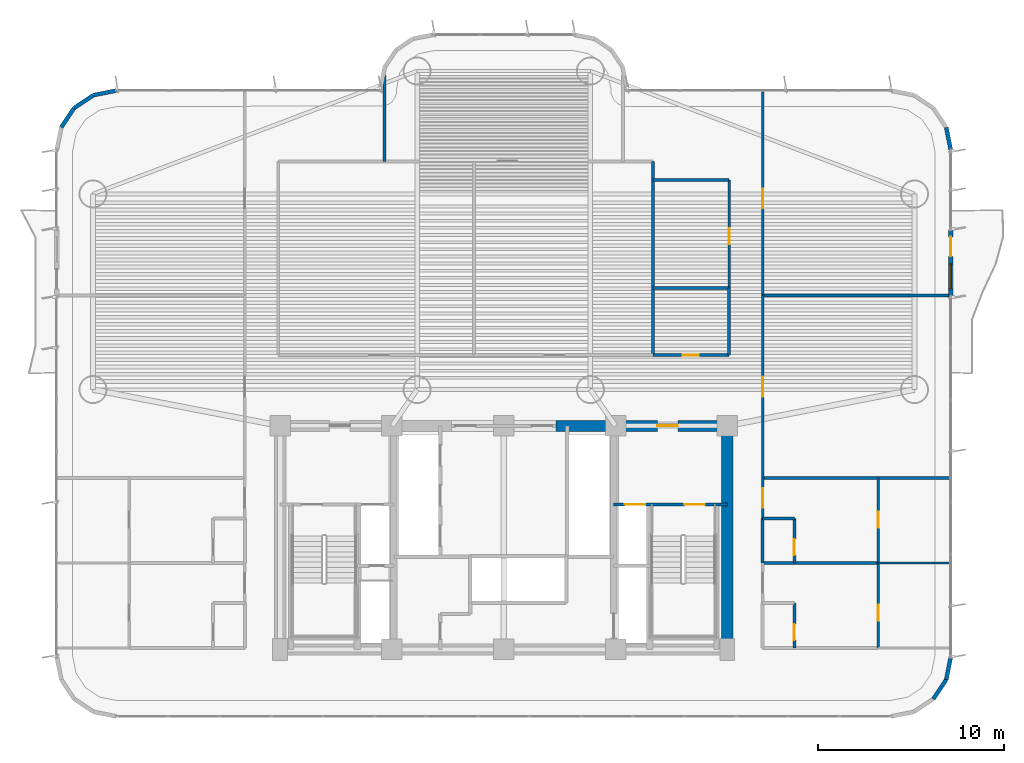
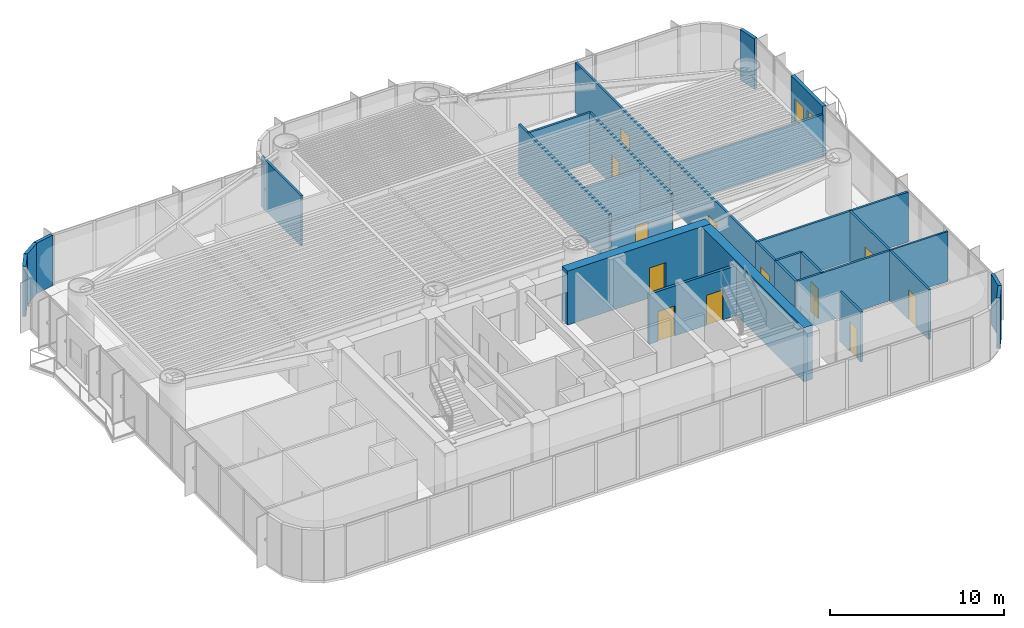
# One storey, part 12 of 17: 30 walls, 13 doors, 1 window, 14 openings.
"""IFC4 building model written with IfcOpenShell, lengths in metres."""

from ifc_helpers import new_model, si_unit, direction, frame, frame_2d, origin, origin_2d, place, context, subcontext, project, spatial, rectangle, extrude, source, transform, mapped, material, layer, layer_set, type_object, element, fill, save


model = new_model("IFC4")

# Units and contexts
model_context = context("Model", 3, precision=1e-05, world=origin(), true_north=direction((0.0, 1.0)))
body_context = subcontext(model_context, "Body", "Model", "MODEL_VIEW")
ifc_project = project(units=[si_unit("LENGTHUNIT", "METRE"), si_unit("AREAUNIT", "SQUARE_METRE"), si_unit("VOLUMEUNIT", "CUBIC_METRE"), si_unit("PLANEANGLEUNIT", "RADIAN"), si_unit("MASSUNIT", "GRAM", prefix="KILO")], contexts=[model_context])

# Site, building, storey
site_placement = place(None, origin())
site = spatial("IfcSite", under=ifc_project, at=site_placement, CompositionType="ELEMENT")
building_placement = place(site_placement, origin())
building = spatial("IfcBuilding", under=site, at=building_placement, Name="Brelvock Crest Care Tower", CompositionType="ELEMENT")
storey_placement = place(building_placement, frame((0.0, 0.0, 53.4599609375)))
storey = spatial("IfcBuildingStorey", under=building, at=storey_placement, Name="L13", CompositionType="ELEMENT", Elevation=53.4599609375)

# Wall
ifc_material_1 = material(Name="Concrete S80 (80 MPa)", Category="concrete")
ifc_layer_1 = layer(ifc_material_1, 0.60009765625, Name="WL-CS1")
ifc_layer_set_1 = layer_set([ifc_layer_1], Name="Concrete S80 (80 MPa)")
wall_type_1 = type_object("IfcWallType", Name="WL-CS1", PredefinedType="SHEAR", material=ifc_layer_set_1)
wall_1_placement = place(storey_placement, frame((48.0, 18.0, 0.0), z_axis=(0.0, 0.0, 1.0), x_axis=(0.0, -1.0, 0.0)))
element("IfcWall", 1, at=wall_1_placement, inside=storey, type_object=wall_type_1, Name="L13 Core East Shear Wall", PredefinedType="SHEAR", context=body_context, shape_type="SweptSolid", body=[
    extrude(rectangle(XDim=12.0, YDim=0.60009765625, at=frame_2d((6.0, 0.0))), origin(), (0.0, 0.0, 1.0), 3.780029296875),
])

# Wall, opening, door
wall_2_placement = place(storey_placement, frame((38.800048828125, 18.0, 0.0), z_axis=(0.0, 0.0, 1.0), x_axis=(1.0, 0.0, 0.0)))
wall_2 = element("IfcWall", 2, at=wall_2_placement, inside=storey, type_object=wall_type_1, Name="L13 Core North-East Shear Wall", PredefinedType="SHEAR", context=body_context, shape_type="SweptSolid", body=[
    extrude(rectangle(XDim=9.5, YDim=0.60009765625, at=frame_2d((4.75, 0.0))), origin(), (0.0, 0.0, 1.0), 3.780029296875),
])
opening_1_placement = place(wall_2_placement, frame((5.449951171875, 0.0, 0.0)))
opening_1 = element("IfcOpeningElement", 3, at=opening_1_placement, cuts=wall_2, Name="Opening FD-1", PredefinedType="OPENING", context=body_context, shape_type="SweptSolid", body=[
    extrude(rectangle(XDim=1.10009765625, YDim=2.10009765625, at=origin_2d()), frame((0.550048828125, 0.31005859375, 1.050048828125), z_axis=(0.0, -1.0, 0.0), x_axis=(1.0, 0.0, 0.0)), (0.0, 0.0, 1.0), 0.6201171875),
])
ifc_material_2 = material(Name="Steel Grade 350", Category="steel")
door_type_1 = type_object("IfcDoorType", Name="DR-FFL1", OperationType="NOTDEFINED", PredefinedType="DOOR", material=ifc_material_2)
shared_shape_1 = source(origin(), body_context, "Body", "SweptSolid", [
    extrude(rectangle(XDim=1.10009765625, YDim=2.10009765625, at=origin_2d()), frame((0.550048828125, 0.02490234375, 1.050048828125), z_axis=(0.0, -1.0, 0.0), x_axis=(1.0, 0.0, 0.0)), (0.0, 0.0, 1.0), 0.050048828125),
])
door_1_placement = place(opening_1_placement, origin())
door_1 = element("IfcDoor", 4, at=door_1_placement, inside=storey, type_object=door_type_1, Name="L13 Firefighting Lobby FFL-2 Exit Door", OperationType="SINGLE_SWING_RIGHT", OverallHeight=2.10009765625, OverallWidth=1.10009765625, PredefinedType="DOOR", context=body_context, shape_type="MappedRepresentation", body=[
    mapped(shared_shape_1, transform((0.0, 0.0, 0.0), x_axis=(1.0, 0.0, 0.0), y_axis=(0.0, 1.0, 0.0), z_axis=(0.0, 0.0, 1.0), scale=1.0)),
])
fill(opening_1, door_1)

# Wall, openings, door, window
ifc_material_3 = material(Name="Precast concrete N40 (40 MPa)", Category="concrete")
ifc_layer_2 = layer(ifc_material_3, 0.239990234375, Name="WL-EX1")
ifc_layer_set_2 = layer_set([ifc_layer_2], Name="Precast concrete N40 (40 MPa)")
wall_type_2 = type_object("IfcWallType", Name="WL-EX1", PredefinedType="SOLIDWALL", material=ifc_layer_set_2)
wall_3_placement = place(storey_placement, frame((60.0, 28.550048828125, 0.0), z_axis=(0.0, 0.0, 1.0), x_axis=(0.0, -1.0, 0.0)))
wall_3 = element("IfcWall", 5, at=wall_3_placement, inside=storey, type_object=wall_type_2, Name="L13 Exterior Spandrel Wall WL-BAL-L13-E", PredefinedType="SOLIDWALL", context=body_context, shape_type="SweptSolid", body=[
    extrude(rectangle(XDim=3.60009765625, YDim=0.239990234375, at=frame_2d((1.800048828125, 0.0))), origin(), (0.0, 0.0, 1.0), 3.530029296875),
])
opening_2_placement = place(wall_3_placement, frame((0.39990234375, 0.0, 0.0)))
opening_2 = element("IfcOpeningElement", 6, at=opening_2_placement, cuts=wall_3, Name="Opening BD-1", PredefinedType="OPENING", context=body_context, shape_type="SweptSolid", body=[
    extrude(rectangle(XDim=1.050048828125, YDim=2.14990234375, at=origin_2d()), frame((0.52490234375, 0.1298828125, 1.074951171875), z_axis=(0.0, -1.0, 0.0), x_axis=(1.0, 0.0, 0.0)), (0.0, 0.0, 1.0), 0.260009765625),
])
opening_3_placement = place(wall_3_placement, frame((1.85009765625, 0.0, 0.85009765625)))
opening_3 = element("IfcOpeningElement", 7, at=opening_3_placement, cuts=wall_3, Name="Opening W-01", PredefinedType="OPENING", context=body_context, shape_type="SweptSolid", body=[
    extrude(rectangle(XDim=1.35009765625, YDim=1.35009765625, at=origin_2d()), frame((0.675048828125, 0.1298828125, 0.675048828125), z_axis=(0.0, -1.0, 0.0), x_axis=(1.0, 0.0, 0.0)), (0.0, 0.0, 1.0), 0.260009765625),
])
ifc_material_4 = material(Name="Dark Glass Double Glazed Low-E", Category="glass")
door_type_2 = type_object("IfcDoorType", Name="DR-BAL1", OperationType="NOTDEFINED", PredefinedType="DOOR", material=ifc_material_4)
shared_shape_2 = source(origin(), body_context, "Body", "SweptSolid", [
    extrude(rectangle(XDim=1.050048828125, YDim=2.14990234375, at=origin_2d()), frame((0.52490234375, 0.02490234375, 1.074951171875), z_axis=(0.0, -1.0, 0.0), x_axis=(1.0, 0.0, 0.0)), (0.0, 0.0, 1.0), 0.050048828125),
])
door_2_placement = place(opening_2_placement, origin())
door_2 = element("IfcDoor", 8, at=door_2_placement, inside=storey, type_object=door_type_2, Name="L13 E Wave Balcony Glazed Door", OperationType="SINGLE_SWING_RIGHT", OverallHeight=2.14990234375, OverallWidth=1.050048828125, PredefinedType="DOOR", context=body_context, shape_type="MappedRepresentation", body=[
    mapped(shared_shape_2, transform((0.0, 0.0, 0.0), x_axis=(1.0, 0.0, 0.0), y_axis=(0.0, 1.0, 0.0), z_axis=(0.0, 0.0, 1.0), scale=1.0)),
])
fill(opening_2, door_2)
window_type = type_object("IfcWindowType", Name="WN-EX1", PartitioningType="SINGLE_PANEL", PredefinedType="WINDOW", material=ifc_material_4)
shared_shape_3 = source(origin(), body_context, "Body", "SweptSolid", [
    extrude(rectangle(XDim=1.35009765625, YDim=1.35009765625, at=origin_2d()), frame((0.675048828125, 0.030029296875, 0.675048828125), z_axis=(0.0, -1.0, 0.0), x_axis=(1.0, 0.0, 0.0)), (0.0, 0.0, 1.0), 0.06005859375),
])
window_placement = place(opening_3_placement, origin())
window = element("IfcWindow", 9, at=window_placement, inside=storey, type_object=window_type, Name="L13 E Suite Casement Window", OverallHeight=1.35009765625, OverallWidth=1.35009765625, PartitioningType="SINGLE_PANEL", PredefinedType="WINDOW", context=body_context, shape_type="MappedRepresentation", body=[
    mapped(shared_shape_3, transform((0.0, 0.0, 0.0), x_axis=(1.0, 0.0, 0.0), y_axis=(0.0, 1.0, 0.0), z_axis=(0.0, 0.0, 1.0), scale=1.0)),
])
fill(opening_3, window)

# Walls
ifc_layer_3 = layer(ifc_material_3, 0.215087890625, Name="WL-EX2")
ifc_layer_set_3 = layer_set([ifc_layer_3], Name="Precast concrete N40 (40 MPa)")
wall_type_3 = type_object("IfcWallType", Name="WL-EX2", PredefinedType="SOLIDWALL", material=ifc_layer_set_3)
for number, where, z_axis, x_axis, name in (
    (10, (59.75634765625, 34.024658203125, 0.0), (0.0, 0.0, 1.0), (0.195138390419, -0.980775717779, 0.0), "L13 Rounded Corner Wall 02"),
    (11, (60.0, 5.60009765625, 0.0), (0.0, 0.0, 1.0), (-0.195138390419, -0.980775717779, 0.0), "L13 Rounded Corner Wall 04"),
    (12, (59.75634765625, 4.37548828125, 0.0), (0.0, 0.0, 1.0), (-0.555557312883, -0.831478245117, 0.0), "L13 Rounded Corner Wall 05"),
    (13, (12.24365234375, 34.024658203125, 0.0), (0.0, 0.0, 1.0), (0.555557312883, 0.831478245117, 0.0), "L13 Rounded Corner Wall 15"),
    (14, (12.937255859375, 35.062744140625, 0.0), (0.0, 0.0, 1.0), (0.831478245117, 0.555557312883, 0.0), "L13 Rounded Corner Wall 16"),
    (15, (13.975341796875, 35.75634765625, 0.0), (0.0, 0.0, 1.0), (0.980775717779, 0.195138390419, 0.0), "L13 Rounded Corner Wall 17"),
):
    element("IfcWall", number, at=place(storey_placement, frame(where, z_axis=z_axis, x_axis=x_axis)), inside=storey, type_object=wall_type_3, Name=name, PredefinedType="SOLIDWALL", context=body_context, shape_type="SweptSolid", body=[
        extrude(rectangle(XDim=1.24853515625, YDim=0.215087890625, at=frame_2d((0.624267578125, 0.0))), origin(), (0.0, 0.0, 1.0), 3.530029296875),
    ])
ifc_material_5 = material(Name="Masonry Blockwork Acoustic Partition", Category="masonry")
ifc_layer_4 = layer(ifc_material_5, 0.14990234375, Name="WL-INT1")
ifc_layer_set_4 = layer_set([ifc_layer_4], Name="Masonry Blockwork Acoustic Partition")
wall_type_4 = type_object("IfcWallType", Name="WL-INT1", PredefinedType="PARTITIONING", material=ifc_layer_set_4)
wall_4_placement = place(storey_placement, frame((49.89990234375, 10.639892578125, 0.0), z_axis=(0.0, 0.0, 1.0), x_axis=(1.0, 0.0, 0.0)))
element("IfcWall", 16, at=wall_4_placement, inside=storey, type_object=wall_type_4, Name="L13 Interior Wall WL-BX-L13-CS-ER1A-N", PredefinedType="PARTITIONING", context=body_context, shape_type="SweptSolid", body=[
    extrude(rectangle(XDim=6.2001953125, YDim=0.14990234375, at=frame_2d((3.10009765625, 0.0))), origin(), (0.0, 0.0, 1.0), 3.5),
])
wall_5_placement = place(storey_placement, frame((49.89990234375, 15.199951171875, 0.0), z_axis=(0.0, 0.0, 1.0), x_axis=(1.0, 0.0, 0.0)))
element("IfcWall", 17, at=wall_5_placement, inside=storey, type_object=wall_type_4, Name="L13 Interior Wall WL-BX-L13-ECL2-S", PredefinedType="PARTITIONING", context=body_context, shape_type="SweptSolid", body=[
    extrude(rectangle(XDim=10.02001953125, YDim=0.14990234375, at=frame_2d((5.010009765625, 0.0))), origin(), (0.0, 0.0, 1.0), 3.5),
])
wall_6_placement = place(storey_placement, frame((49.89990234375, 25.0, 0.0), z_axis=(0.0, 0.0, 1.0), x_axis=(1.0, 0.0, 0.0)))
element("IfcWall", 18, at=wall_6_placement, inside=storey, type_object=wall_type_4, Name="L13 Interior Wall WL-BX-L13-ECL2-N", PredefinedType="PARTITIONING", context=body_context, shape_type="SweptSolid", body=[
    extrude(rectangle(XDim=10.02001953125, YDim=0.14990234375, at=frame_2d((5.010009765625, 0.0))), origin(), (0.0, 0.0, 1.0), 2.98193359375),
])
wall_7_placement = place(storey_placement, frame((44.0, 31.199951171875, 0.0), z_axis=(0.0, 0.0, 1.0), x_axis=(1.0, 0.0, 0.0)))
element("IfcWall", 19, at=wall_7_placement, inside=storey, type_object=wall_type_4, Name="L13 Interior Wall WL-BX-L13-CKIT-N", PredefinedType="PARTITIONING", context=body_context, shape_type="SweptSolid", body=[
    extrude(rectangle(XDim=4.10009765625, YDim=0.14990234375, at=frame_2d((2.050048828125, 0.0))), origin(), (0.0, 0.0, 1.0), 3.5),
])
wall_8_placement = place(storey_placement, frame((29.60009765625, 32.199951171875, 0.0), z_axis=(0.0, 0.0, 1.0), x_axis=(0.0, 1.0, 0.0)))
element("IfcWall", 20, at=wall_8_placement, inside=storey, type_object=wall_type_4, Name="L13 Interior Wall WL-BX-L13-NHUB-W", PredefinedType="PARTITIONING", context=body_context, shape_type="SweptSolid", body=[
    extrude(rectangle(XDim=4.595458984375, YDim=0.14990234375, at=frame_2d((2.2978515625, 0.0))), origin(), (0.0, 0.0, 1.0), 3.5),
])

# Wall, opening, door
wall_9_placement = place(storey_placement, frame((48.10009765625, 25.39990234375, 0.0), z_axis=(0.0, 0.0, 1.0), x_axis=(0.0, 1.0, 0.0)))
wall_9 = element("IfcWall", 21, at=wall_9_placement, inside=storey, type_object=wall_type_4, Name="L13 Interior Wall WL-RM-L13-CKIT", PredefinedType="PARTITIONING", context=body_context, shape_type="SweptSolid", body=[
    extrude(rectangle(XDim=5.800048828125, YDim=0.14990234375, at=frame_2d((2.89990234375, 0.0))), origin(), (0.0, 0.0, 1.0), 3.5),
])
opening_4_placement = place(wall_9_placement, frame((2.340087890625, 0.0, 0.0)))
opening_4 = element("IfcOpeningElement", 22, at=opening_4_placement, cuts=wall_9, Name="Opening ID-1", PredefinedType="OPENING", context=body_context, shape_type="SweptSolid", body=[
    extrude(rectangle(XDim=0.860107421875, YDim=2.10009765625, at=origin_2d()), frame((0.43017578125, 0.0849609375, 1.050048828125), z_axis=(0.0, -1.0, 0.0), x_axis=(1.0, 0.0, 0.0)), (0.0, 0.0, 1.0), 0.169921875),
])
ifc_material_6 = material(Name="Engineered Hardwood Timber", Category="wood")
door_type_3 = type_object("IfcDoorType", Name="DR-INT1", OperationType="NOTDEFINED", PredefinedType="DOOR", material=ifc_material_6)
shared_shape_4 = source(origin(), body_context, "Body", "SweptSolid", [
    extrude(rectangle(XDim=0.860107421875, YDim=2.10009765625, at=origin_2d()), frame((0.43017578125, 0.02490234375, 1.050048828125), z_axis=(0.0, -1.0, 0.0), x_axis=(1.0, 0.0, 0.0)), (0.0, 0.0, 1.0), 0.050048828125),
])
door_3_placement = place(opening_4_placement, origin())
door_3 = element("IfcDoor", 23, at=door_3_placement, inside=storey, type_object=door_type_3, Name="L13 Neighbourhood Pantry Kitchen Door CKIT", OperationType="SINGLE_SWING_LEFT", OverallHeight=2.10009765625, OverallWidth=0.860107421875, PredefinedType="DOOR", context=body_context, shape_type="MappedRepresentation", body=[
    mapped(shared_shape_4, transform((0.0, 0.0, 0.0), x_axis=(1.0, 0.0, 0.0), y_axis=(0.0, 1.0, 0.0), z_axis=(0.0, 0.0, 1.0), scale=1.0)),
])
fill(opening_4, door_3)

wall_10_placement = place(storey_placement, frame((49.89990234375, 13.0400390625, 0.0), z_axis=(0.0, 0.0, 1.0), x_axis=(0.0, 1.0, 0.0)))
wall_10 = element("IfcWall", 24, at=wall_10_placement, inside=storey, type_object=wall_type_4, Name="L13 Interior Wall WL-CENT-L13-ER1B", PredefinedType="PARTITIONING", context=body_context, shape_type="SweptSolid", body=[
    extrude(rectangle(XDim=2.159912109375, YDim=0.14990234375, at=frame_2d((1.080078125, 0.0))), origin(), (0.0, 0.0, 1.0), 3.5),
])
opening_5_placement = place(wall_10_placement, frame((0.56005859375, 0.0, 0.0)))
opening_5 = element("IfcOpeningElement", 25, at=opening_5_placement, cuts=wall_10, Name="Opening CD-1", PredefinedType="OPENING", context=body_context, shape_type="SweptSolid", body=[
    extrude(rectangle(XDim=1.050048828125, YDim=2.10009765625, at=origin_2d()), frame((0.52490234375, 0.0849609375, 1.050048828125), z_axis=(0.0, -1.0, 0.0), x_axis=(1.0, 0.0, 0.0)), (0.0, 0.0, 1.0), 0.169921875),
])
door_type_4 = type_object("IfcDoorType", Name="DR-CARE1", OperationType="NOTDEFINED", PredefinedType="DOOR", material=ifc_material_6)
shared_shape_5 = source(origin(), body_context, "Body", "SweptSolid", [
    extrude(rectangle(XDim=1.050048828125, YDim=2.10009765625, at=origin_2d()), frame((0.52490234375, 0.02490234375, 1.050048828125), z_axis=(0.0, -1.0, 0.0), x_axis=(1.0, 0.0, 0.0)), (0.0, 0.0, 1.0), 0.050048828125),
])
door_4_placement = place(opening_5_placement, origin())
door_4 = element("IfcDoor", 26, at=door_4_placement, inside=storey, type_object=door_type_4, Name="L13 Care Suite Door ER1B", OperationType="SINGLE_SWING_LEFT", OverallHeight=2.10009765625, OverallWidth=1.050048828125, PredefinedType="DOOR", context=body_context, shape_type="MappedRepresentation", body=[
    mapped(shared_shape_5, transform((0.0, 0.0, 0.0), x_axis=(1.0, 0.0, 0.0), y_axis=(0.0, 1.0, 0.0), z_axis=(0.0, 0.0, 1.0), scale=1.0)),
])
fill(opening_5, door_4)

wall_11_placement = place(storey_placement, frame((49.89990234375, 15.199951171875, 0.0), z_axis=(0.0, 0.0, 1.0), x_axis=(0.0, 1.0, 0.0)))
wall_11 = element("IfcWall", 27, at=wall_11_placement, inside=storey, type_object=wall_type_4, Name="L13 Interior Wall WL-RM-L13-ECL2", PredefinedType="PARTITIONING", context=body_context, shape_type="SweptSolid", body=[
    extrude(rectangle(XDim=9.800048828125, YDim=0.14990234375, at=frame_2d((4.89990234375, 0.0))), origin(), (0.0, 0.0, 1.0), 3.5),
])
opening_6_placement = place(wall_11_placement, frame((4.375, 0.0, 0.0)))
opening_6 = element("IfcOpeningElement", 28, at=opening_6_placement, cuts=wall_11, Name="Opening CLD-1", PredefinedType="OPENING", context=body_context, shape_type="SweptSolid", body=[
    extrude(rectangle(XDim=1.050048828125, YDim=2.10009765625, at=origin_2d()), frame((0.52490234375, 0.0849609375, 1.050048828125), z_axis=(0.0, -1.0, 0.0), x_axis=(1.0, 0.0, 0.0)), (0.0, 0.0, 1.0), 0.169921875),
])
door_type_5 = type_object("IfcDoorType", Name="DR-CLN1", OperationType="NOTDEFINED", PredefinedType="DOOR", material=ifc_material_6)
shared_shape_6 = source(origin(), body_context, "Body", "SweptSolid", [
    extrude(rectangle(XDim=1.050048828125, YDim=2.10009765625, at=origin_2d()), frame((0.52490234375, 0.02490234375, 1.050048828125), z_axis=(0.0, -1.0, 0.0), x_axis=(1.0, 0.0, 0.0)), (0.0, 0.0, 1.0), 0.050048828125),
])
door_5_placement = place(opening_6_placement, origin())
door_5 = element("IfcDoor", 29, at=door_5_placement, inside=storey, type_object=door_type_5, Name="L13 Occupational Therapy Clinic Door ECL2", OperationType="SINGLE_SWING_LEFT", OverallHeight=2.10009765625, OverallWidth=1.050048828125, PredefinedType="DOOR", context=body_context, shape_type="MappedRepresentation", body=[
    mapped(shared_shape_6, transform((0.0, 0.0, 0.0), x_axis=(1.0, 0.0, 0.0), y_axis=(0.0, 1.0, 0.0), z_axis=(0.0, 0.0, 1.0), scale=1.0)),
])
fill(opening_6, door_5)

wall_12_placement = place(storey_placement, frame((49.89990234375, 25.0, 0.0), z_axis=(0.0, 0.0, 1.0), x_axis=(0.0, 1.0, 0.0)))
wall_12 = element("IfcWall", 30, at=wall_12_placement, inside=storey, type_object=wall_type_4, Name="L13 Interior Wall WL-RM-L13-ECL3", PredefinedType="PARTITIONING", context=body_context, shape_type="SweptSolid", body=[
    extrude(rectangle(XDim=10.920166015625, YDim=0.14990234375, at=frame_2d((5.4599609375, 0.0))), origin(), (0.0, 0.0, 1.0), 3.5),
])
opening_7_placement = place(wall_12_placement, frame((4.675048828125, 0.0, 0.0)))
opening_7 = element("IfcOpeningElement", 31, at=opening_7_placement, cuts=wall_12, Name="Opening CLD-1", PredefinedType="OPENING", context=body_context, shape_type="SweptSolid", body=[
    extrude(rectangle(XDim=1.050048828125, YDim=2.10009765625, at=origin_2d()), frame((0.52490234375, 0.0849609375, 1.050048828125), z_axis=(0.0, -1.0, 0.0), x_axis=(1.0, 0.0, 0.0)), (0.0, 0.0, 1.0), 0.169921875),
])
door_6_placement = place(opening_7_placement, origin())
door_6 = element("IfcDoor", 32, at=door_6_placement, inside=storey, type_object=door_type_5, Name="L13 Occupational Therapy Clinic Door ECL3", OperationType="SINGLE_SWING_LEFT", OverallHeight=2.10009765625, OverallWidth=1.050048828125, PredefinedType="DOOR", context=body_context, shape_type="MappedRepresentation", body=[
    mapped(shared_shape_6, transform((0.0, 0.0, 0.0), x_axis=(1.0, 0.0, 0.0), y_axis=(0.0, 1.0, 0.0), z_axis=(0.0, 0.0, 1.0), scale=1.0)),
])
fill(opening_7, door_6)

wall_13_placement = place(storey_placement, frame((56.10009765625, 6.080078125, 0.0), z_axis=(0.0, 0.0, 1.0), x_axis=(0.0, 1.0, 0.0)))
wall_13 = element("IfcWall", 33, at=wall_13_placement, inside=storey, type_object=wall_type_4, Name="L13 Interior Wall WL-RM-L13-ER1AS", PredefinedType="PARTITIONING", context=body_context, shape_type="SweptSolid", body=[
    extrude(rectangle(XDim=4.559814453125, YDim=0.14990234375, at=frame_2d((2.27978515625, 0.0))), origin(), (0.0, 0.0, 1.0), 3.5),
])
opening_8_placement = place(wall_13_placement, frame((1.4599609375, 0.0, 0.0)))
opening_8 = element("IfcOpeningElement", 34, at=opening_8_placement, cuts=wall_13, Name="Opening ID-1", PredefinedType="OPENING", context=body_context, shape_type="SweptSolid", body=[
    extrude(rectangle(XDim=0.860107421875, YDim=2.10009765625, at=origin_2d()), frame((0.43017578125, 0.0849609375, 1.050048828125), z_axis=(0.0, -1.0, 0.0), x_axis=(1.0, 0.0, 0.0)), (0.0, 0.0, 1.0), 0.169921875),
])
door_7_placement = place(opening_8_placement, origin())
door_7 = element("IfcDoor", 35, at=door_7_placement, inside=storey, type_object=door_type_3, Name="L13 Rehab Recovery Mobility Store Door ER1AS", OperationType="SINGLE_SWING_LEFT", OverallHeight=2.10009765625, OverallWidth=0.860107421875, PredefinedType="DOOR", context=body_context, shape_type="MappedRepresentation", body=[
    mapped(shared_shape_4, transform((0.0, 0.0, 0.0), x_axis=(1.0, 0.0, 0.0), y_axis=(0.0, 1.0, 0.0), z_axis=(0.0, 0.0, 1.0), scale=1.0)),
])
fill(opening_8, door_7)

wall_14_placement = place(storey_placement, frame((56.10009765625, 10.639892578125, 0.0), z_axis=(0.0, 0.0, 1.0), x_axis=(0.0, 1.0, 0.0)))
wall_14 = element("IfcWall", 36, at=wall_14_placement, inside=storey, type_object=wall_type_4, Name="L13 Interior Wall WL-RM-L13-ER1BS", PredefinedType="PARTITIONING", context=body_context, shape_type="SweptSolid", body=[
    extrude(rectangle(XDim=4.56005859375, YDim=0.14990234375, at=frame_2d((2.280029296875, 0.0))), origin(), (0.0, 0.0, 1.0), 3.5),
])
opening_9_placement = place(wall_14_placement, frame((1.89990234375, 0.0, 0.0)))
opening_9 = element("IfcOpeningElement", 37, at=opening_9_placement, cuts=wall_14, Name="Opening ID-1", PredefinedType="OPENING", context=body_context, shape_type="SweptSolid", body=[
    extrude(rectangle(XDim=0.860107421875, YDim=2.10009765625, at=origin_2d()), frame((0.43017578125, 0.0849609375, 1.050048828125), z_axis=(0.0, -1.0, 0.0), x_axis=(1.0, 0.0, 0.0)), (0.0, 0.0, 1.0), 0.169921875),
])
door_8_placement = place(opening_9_placement, origin())
door_8 = element("IfcDoor", 38, at=door_8_placement, inside=storey, type_object=door_type_3, Name="L13 Rehab Recovery Mobility Store Door ER1BS", OperationType="SINGLE_SWING_LEFT", OverallHeight=2.10009765625, OverallWidth=0.860107421875, PredefinedType="DOOR", context=body_context, shape_type="MappedRepresentation", body=[
    mapped(shared_shape_4, transform((0.0, 0.0, 0.0), x_axis=(1.0, 0.0, 0.0), y_axis=(0.0, 1.0, 0.0), z_axis=(0.0, 0.0, 1.0), scale=1.0)),
])
fill(opening_9, door_8)

# Walls
ifc_material_7 = material(Name="Gypsum Plasterboard Partition", Category="gypsum")
ifc_layer_5 = layer(ifc_material_7, 0.1201171875, Name="WL-INT2")
ifc_layer_set_5 = layer_set([ifc_layer_5], Name="Gypsum Plasterboard Partition")
wall_type_5 = type_object("IfcWallType", Name="WL-INT2", PredefinedType="PARTITIONING", material=ifc_layer_set_5)
wall_15_placement = place(storey_placement, frame((56.10009765625, 10.639892578125, 0.0), z_axis=(0.0, 0.0, 1.0), x_axis=(1.0, 0.0, 0.0)))
element("IfcWall", 39, at=wall_15_placement, inside=storey, type_object=wall_type_5, Name="L13 Interior Wall WL-BX-L13-ER1AS-N", PredefinedType="PARTITIONING", context=body_context, shape_type="SweptSolid", body=[
    extrude(rectangle(XDim=3.81982421875, YDim=0.1201171875, at=frame_2d((1.909912109375, 0.0))), origin(), (0.0, 0.0, 1.0), 3.5),
])
ifc_layer_6 = layer(ifc_material_7, 0.159912109375, Name="WL-PLM1")
ifc_layer_set_6 = layer_set([ifc_layer_6], Name="Gypsum Plasterboard Partition")
wall_type_6 = type_object("IfcWallType", Name="WL-PLM1", PredefinedType="PLUMBINGWALL", material=ifc_layer_set_6)
wall_16_placement = place(storey_placement, frame((49.89990234375, 13.0400390625, 0.0), z_axis=(0.0, 0.0, 1.0), x_axis=(1.0, 0.0, 0.0)))
element("IfcWall", 40, at=wall_16_placement, inside=storey, type_object=wall_type_6, Name="L13 Interior Wall WL-CENS2-L13-ER1B", PredefinedType="PLUMBINGWALL", context=body_context, shape_type="SweptSolid", body=[
    extrude(rectangle(XDim=1.7001953125, YDim=0.159912109375, at=frame_2d((0.85009765625, 0.0))), origin(), (0.0, 0.0, 1.0), 3.5),
])

# Wall, opening, door
wall_17_placement = place(storey_placement, frame((44.0, 21.800048828125, 0.0), z_axis=(0.0, 0.0, 1.0), x_axis=(1.0, 0.0, 0.0)))
wall_17 = element("IfcWall", 41, at=wall_17_placement, inside=storey, type_object=wall_type_6, Name="L13 Interior Wall WL-RM-L13-CAWC", PredefinedType="PLUMBINGWALL", context=body_context, shape_type="SweptSolid", body=[
    extrude(rectangle(XDim=4.10009765625, YDim=0.159912109375, at=frame_2d((2.050048828125, 0.0))), origin(), (0.0, 0.0, 1.0), 2.98193359375),
])
opening_10_placement = place(wall_17_placement, frame((1.6201171875, 0.0, 0.0)))
opening_10 = element("IfcOpeningElement", 42, at=opening_10_placement, cuts=wall_17, Name="Opening WD-1", PredefinedType="OPENING", context=body_context, shape_type="SweptSolid", body=[
    extrude(rectangle(XDim=0.860107421875, YDim=2.10009765625, at=origin_2d()), frame((0.43017578125, 0.08984375, 1.050048828125), z_axis=(0.0, -1.0, 0.0), x_axis=(1.0, 0.0, 0.0)), (0.0, 0.0, 1.0), 0.179931640625),
])
door_type_6 = type_object("IfcDoorType", Name="DR-WC1", OperationType="NOTDEFINED", PredefinedType="DOOR", material=ifc_material_6)
shared_shape_7 = source(origin(), body_context, "Body", "SweptSolid", [
    extrude(rectangle(XDim=0.860107421875, YDim=2.10009765625, at=origin_2d()), frame((0.43017578125, 0.02490234375, 1.050048828125), z_axis=(0.0, -1.0, 0.0), x_axis=(1.0, 0.0, 0.0)), (0.0, 0.0, 1.0), 0.050048828125),
])
door_9_placement = place(opening_10_placement, origin())
door_9 = element("IfcDoor", 43, at=door_9_placement, inside=storey, type_object=door_type_6, Name="L13 Floor Accessible WC Door CAWC", OperationType="SINGLE_SWING_LEFT", OverallHeight=2.10009765625, OverallWidth=0.860107421875, PredefinedType="DOOR", context=body_context, shape_type="MappedRepresentation", body=[
    mapped(shared_shape_7, transform((0.0, 0.0, 0.0), x_axis=(1.0, 0.0, 0.0), y_axis=(0.0, 1.0, 0.0), z_axis=(0.0, 0.0, 1.0), scale=1.0)),
])
fill(opening_10, door_9)

# Walls
wall_18_placement = place(storey_placement, frame((44.0, 25.39990234375, 0.0), z_axis=(0.0, 0.0, 1.0), x_axis=(1.0, 0.0, 0.0)))
element("IfcWall", 44, at=wall_18_placement, inside=storey, type_object=wall_type_6, Name="L13 Interior Wall WL-BX-L13-CAWC-N", PredefinedType="PLUMBINGWALL", context=body_context, shape_type="SweptSolid", body=[
    extrude(rectangle(XDim=4.10009765625, YDim=0.159912109375, at=frame_2d((2.050048828125, 0.0))), origin(), (0.0, 0.0, 1.0), 3.054931640625),
])
wall_19_placement = place(storey_placement, frame((44.0, 21.800048828125, 0.0), z_axis=(0.0, 0.0, 1.0), x_axis=(0.0, 1.0, 0.0)))
element("IfcWall", 45, at=wall_19_placement, inside=storey, type_object=wall_type_6, Name="L13 Interior Wall WL-BX-L13-CNE-E", PredefinedType="PLUMBINGWALL", context=body_context, shape_type="SweptSolid", body=[
    extrude(rectangle(XDim=10.39990234375, YDim=0.159912109375, at=frame_2d((5.199951171875, 0.0))), origin(), (0.0, 0.0, 1.0), 3.5),
])
wall_20_placement = place(storey_placement, frame((48.10009765625, 21.800048828125, 0.0), z_axis=(0.0, 0.0, 1.0), x_axis=(0.0, 1.0, 0.0)))
element("IfcWall", 46, at=wall_20_placement, inside=storey, type_object=wall_type_6, Name="L13 Interior Wall WL-BX-L13-CAWC-E", PredefinedType="PLUMBINGWALL", context=body_context, shape_type="SweptSolid", body=[
    extrude(rectangle(XDim=3.599853515625, YDim=0.159912109375, at=frame_2d((1.7998046875, 0.0))), origin(), (0.0, 0.0, 1.0), 3.5),
])
wall_21_placement = place(storey_placement, frame((49.89990234375, 10.639892578125, 0.0), z_axis=(0.0, 0.0, 1.0), x_axis=(0.0, 1.0, 0.0)))
element("IfcWall", 47, at=wall_21_placement, inside=storey, type_object=wall_type_6, Name="L13 Interior Wall WL-CENS0-L13-ER1B", PredefinedType="PLUMBINGWALL", context=body_context, shape_type="SweptSolid", body=[
    extrude(rectangle(XDim=2.400146484375, YDim=0.159912109375, at=frame_2d((1.2001953125, 0.0))), origin(), (0.0, 0.0, 1.0), 3.5),
])

# Wall, opening, door
wall_22_placement = place(storey_placement, frame((51.60009765625, 6.080078125, 0.0), z_axis=(0.0, 0.0, 1.0), x_axis=(0.0, 1.0, 0.0)))
wall_22 = element("IfcWall", 48, at=wall_22_placement, inside=storey, type_object=wall_type_6, Name="L13 Interior Wall WL-CENS1-L13-ER1A", PredefinedType="PLUMBINGWALL", context=body_context, shape_type="SweptSolid", body=[
    extrude(rectangle(XDim=2.39990234375, YDim=0.159912109375, at=frame_2d((1.199951171875, 0.0))), origin(), (0.0, 0.0, 1.0), 3.5),
])
opening_11_placement = place(wall_22_placement, frame((0.419921875, 0.0, 0.0)))
opening_11 = element("IfcOpeningElement", 49, at=opening_11_placement, cuts=wall_22, Name="Opening WD-1", PredefinedType="OPENING", context=body_context, shape_type="SweptSolid", body=[
    extrude(rectangle(XDim=0.860107421875, YDim=2.10009765625, at=origin_2d()), frame((0.43017578125, 0.08984375, 1.050048828125), z_axis=(0.0, -1.0, 0.0), x_axis=(1.0, 0.0, 0.0)), (0.0, 0.0, 1.0), 0.179931640625),
])
door_10_placement = place(opening_11_placement, origin())
door_10 = element("IfcDoor", 50, at=door_10_placement, inside=storey, type_object=door_type_6, Name="L13 Care En-Suite Door ER1A", OperationType="SINGLE_SWING_RIGHT", OverallHeight=2.10009765625, OverallWidth=0.860107421875, PredefinedType="DOOR", context=body_context, shape_type="MappedRepresentation", body=[
    mapped(shared_shape_7, transform((0.0, 0.0, 0.0), x_axis=(1.0, 0.0, 0.0), y_axis=(0.0, 1.0, 0.0), z_axis=(0.0, 0.0, 1.0), scale=1.0)),
])
fill(opening_11, door_10)

wall_23_placement = place(storey_placement, frame((51.60009765625, 10.639892578125, 0.0), z_axis=(0.0, 0.0, 1.0), x_axis=(0.0, 1.0, 0.0)))
wall_23 = element("IfcWall", 51, at=wall_23_placement, inside=storey, type_object=wall_type_6, Name="L13 Interior Wall WL-CENS1-L13-ER1B", PredefinedType="PLUMBINGWALL", context=body_context, shape_type="SweptSolid", body=[
    extrude(rectangle(XDim=2.400146484375, YDim=0.159912109375, at=frame_2d((1.2001953125, 0.0))), origin(), (0.0, 0.0, 1.0), 3.5),
])
opening_12_placement = place(wall_23_placement, frame((0.419921875, 0.0, 0.0)))
opening_12 = element("IfcOpeningElement", 52, at=opening_12_placement, cuts=wall_23, Name="Opening WD-1", PredefinedType="OPENING", context=body_context, shape_type="SweptSolid", body=[
    extrude(rectangle(XDim=0.860107421875, YDim=2.10009765625, at=origin_2d()), frame((0.43017578125, 0.08984375, 1.050048828125), z_axis=(0.0, -1.0, 0.0), x_axis=(1.0, 0.0, 0.0)), (0.0, 0.0, 1.0), 0.179931640625),
])
door_11_placement = place(opening_12_placement, origin())
door_11 = element("IfcDoor", 53, at=door_11_placement, inside=storey, type_object=door_type_6, Name="L13 Care En-Suite Door ER1B", OperationType="SINGLE_SWING_RIGHT", OverallHeight=2.10009765625, OverallWidth=0.860107421875, PredefinedType="DOOR", context=body_context, shape_type="MappedRepresentation", body=[
    mapped(shared_shape_7, transform((0.0, 0.0, 0.0), x_axis=(1.0, 0.0, 0.0), y_axis=(0.0, 1.0, 0.0), z_axis=(0.0, 0.0, 1.0), scale=1.0)),
])
fill(opening_12, door_11)

# Wall, openings, doors
ifc_layer_7 = layer(ifc_material_5, 0.179931640625, Name="WL-SHF1")
ifc_layer_set_7 = layer_set([ifc_layer_7], Name="Masonry Blockwork Acoustic Partition")
wall_type_7 = type_object("IfcWallType", Name="WL-SHF1", PredefinedType="PARTITIONING", material=ifc_layer_set_7)
wall_24_placement = place(storey_placement, frame((41.89990234375, 13.780029296875, 0.0), z_axis=(0.0, 0.0, 1.0), x_axis=(1.0, 0.0, 0.0)))
wall_24 = element("IfcWall", 54, at=wall_24_placement, inside=storey, type_object=wall_type_7, Name="L13 Interior Wall WL-ST2-N-L13", PredefinedType="PARTITIONING", context=body_context, shape_type="SweptSolid", body=[
    extrude(rectangle(XDim=6.10009765625, YDim=0.179931640625, at=frame_2d((3.050048828125, 0.0))), origin(), (0.0, 0.0, 1.0), 3.5),
])
opening_13_placement = place(wall_24_placement, frame((0.60009765625, 0.0, 0.0)))
opening_13 = element("IfcOpeningElement", 55, at=opening_13_placement, cuts=wall_24, Name="Opening LD", PredefinedType="OPENING", context=body_context, shape_type="SweptSolid", body=[
    extrude(rectangle(XDim=1.10009765625, YDim=2.10009765625, at=origin_2d()), frame((0.550048828125, 0.10009765625, 1.050048828125), z_axis=(0.0, -1.0, 0.0), x_axis=(1.0, 0.0, 0.0)), (0.0, 0.0, 1.0), 0.199951171875),
])
opening_14_placement = place(wall_24_placement, frame((3.800048828125, 0.0, 0.0)))
opening_14 = element("IfcOpeningElement", 56, at=opening_14_placement, cuts=wall_24, Name="Opening SD-1", PredefinedType="OPENING", context=body_context, shape_type="SweptSolid", body=[
    extrude(rectangle(XDim=1.10009765625, YDim=2.10009765625, at=origin_2d()), frame((0.550048828125, 0.10009765625, 1.050048828125), z_axis=(0.0, -1.0, 0.0), x_axis=(1.0, 0.0, 0.0)), (0.0, 0.0, 1.0), 0.199951171875),
])
door_type_7 = type_object("IfcDoorType", Name="DR-ST1", OperationType="NOTDEFINED", PredefinedType="DOOR", material=ifc_material_2)
shared_shape_8 = source(origin(), body_context, "Body", "SweptSolid", [
    extrude(rectangle(XDim=1.10009765625, YDim=2.10009765625, at=origin_2d()), frame((0.550048828125, 0.02490234375, 1.050048828125), z_axis=(0.0, -1.0, 0.0), x_axis=(1.0, 0.0, 0.0)), (0.0, 0.0, 1.0), 0.050048828125),
])
door_12_placement = place(opening_14_placement, origin())
door_12 = element("IfcDoor", 57, at=door_12_placement, inside=storey, type_object=door_type_7, Name="L13 Fire Stair ST-2 Door", OperationType="SINGLE_SWING_RIGHT", OverallHeight=2.10009765625, OverallWidth=1.10009765625, PredefinedType="DOOR", context=body_context, shape_type="MappedRepresentation", body=[
    mapped(shared_shape_8, transform((0.0, 0.0, 0.0), x_axis=(1.0, 0.0, 0.0), y_axis=(0.0, 1.0, 0.0), z_axis=(0.0, 0.0, 1.0), scale=1.0)),
])
fill(opening_14, door_12)
door_type_8 = type_object("IfcDoorType", Name="DR-LD1", OperationType="NOTDEFINED", PredefinedType="DOOR", material=ifc_material_2)
shared_shape_9 = source(origin(), body_context, "Body", "SweptSolid", [
    extrude(rectangle(XDim=1.10009765625, YDim=2.10009765625, at=origin_2d()), frame((0.550048828125, 0.02490234375, 1.050048828125), z_axis=(0.0, -1.0, 0.0), x_axis=(1.0, 0.0, 0.0)), (0.0, 0.0, 1.0), 0.050048828125),
])
door_13_placement = place(opening_13_placement, origin())
door_13 = element("IfcDoor", 58, at=door_13_placement, inside=storey, type_object=door_type_8, Name="L13 Firefighting Lift FFL-2 Landing Door", OperationType="SLIDING_TO_RIGHT", OverallHeight=2.10009765625, OverallWidth=1.10009765625, PredefinedType="DOOR", context=body_context, shape_type="MappedRepresentation", body=[
    mapped(shared_shape_9, transform((0.0, 0.0, 0.0), x_axis=(1.0, 0.0, 0.0), y_axis=(0.0, 1.0, 0.0), z_axis=(0.0, 0.0, 1.0), scale=1.0)),
])
fill(opening_13, door_13)

save(model, "model.ifc")
